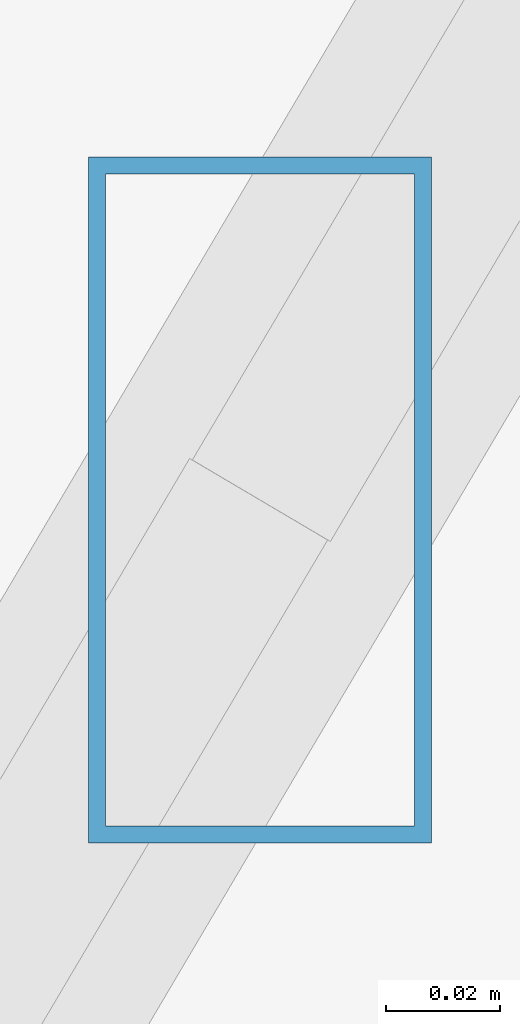
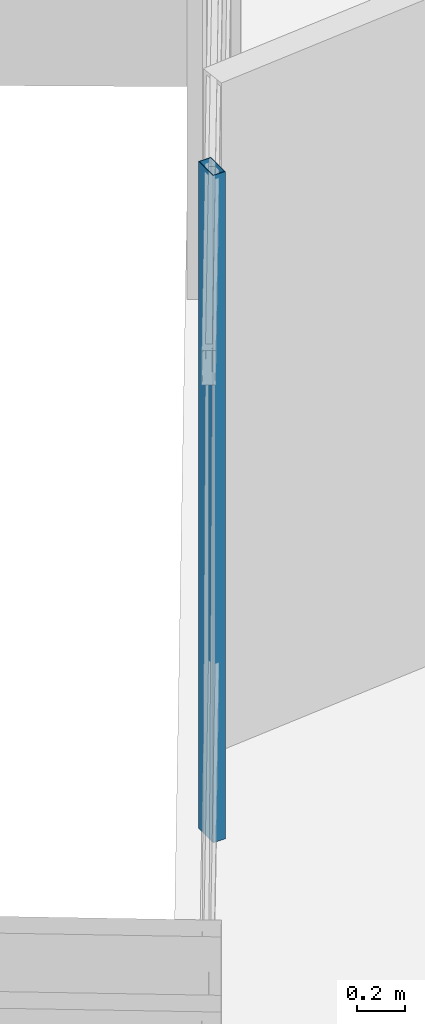
# One storey, part 9 of 45: 1 member, 1 element without a shape of its own.
"""IFC4 building model written with IfcOpenShell, lengths in metres."""

from ifc_helpers import new_model, si_unit, direction, frame, origin, origin_2d, place, context, subcontext, project, spatial, hollow_rectangle, extrude, source, transform, mapped, material, material_profile, profile_set, type_object, type_shapes, element, aggregate, save


model = new_model("IFC4")

# Units and contexts
model_context = context("Model", 3, precision=1e-05, world=origin(), true_north=direction((0.0, 1.0)))
body_context = subcontext(model_context, "Body", "Model", "MODEL_VIEW")
ifc_project = project(units=[si_unit("LENGTHUNIT", "METRE"), si_unit("AREAUNIT", "SQUARE_METRE"), si_unit("VOLUMEUNIT", "CUBIC_METRE"), si_unit("PLANEANGLEUNIT", "RADIAN"), si_unit("MASSUNIT", "GRAM", prefix="KILO")], contexts=[model_context])

# Site, building, storey
site_placement = place(None, origin())
site = spatial("IfcSite", under=ifc_project, at=site_placement, CompositionType="ELEMENT")
building_placement = place(site_placement, origin())
building = spatial("IfcBuilding", under=site, at=building_placement, Name="Caelisora Broadcast Tower", CompositionType="ELEMENT")
storey_placement = place(building_placement, frame((0.0, 0.0, 262.699951171875)))
storey = spatial("IfcBuildingStorey", under=building, at=storey_placement, Name="L69", CompositionType="ELEMENT", Elevation=262.699951171875)

# Curtain wall, member
ifc_material_1 = material(Name="Unitised Aluminium and Low-E Glass Curtain Wall", Category="glass")
curtain_wall_type = type_object("IfcCurtainWallType", Name="CW-Z5", PredefinedType="NOTDEFINED", material=ifc_material_1)
curtain_wall_placement = place(storey_placement, origin())
curtain_wall = element("IfcCurtainWall", 1, at=curtain_wall_placement, inside=storey, type_object=curtain_wall_type, Name="L69 curtain wall CW-Z5", PredefinedType="NOTDEFINED")
ifc_material_2 = material(Name="Aluminium 6063-T6 Anodised Terracotta Bronze", Category="aluminium")
ifc_material_profile = material_profile(ifc_material_2, hollow_rectangle(XDim=0.06005859375, YDim=0.1201171875, WallThickness=0.0029296875, at=origin_2d()), Name="Aluminium 6063-T6 Anodised Terracotta Bronze")
ifc_profile_set = profile_set([ifc_material_profile], Name="Aluminium 6063-T6 Anodised Terracotta Bronze")
member_type = type_object("IfcMemberType", Name="CWM-04", PredefinedType="MULLION", material=ifc_profile_set)
shared_shape = source(origin(), body_context, "Body", "SweptSolid", [
    extrude(hollow_rectangle(XDim=0.06005859375, YDim=0.1201171875, WallThickness=0.0029296875, at=origin_2d()), origin(), (0.0, 0.0, 1.0), 3.400146484375),
])
type_shapes(member_type, [shared_shape])
member_placement = place(storey_placement, frame((17.977783203125, 21.51171875, 0.0), z_axis=(0.0, 0.0, 1.0), x_axis=(1.0, 0.0, 0.0)))
member = element("IfcMember", 2, at=member_placement, type_object=member_type, Name="L69-CW-B09 mullion #2", PredefinedType="MULLION", context=body_context, shape_type="MappedRepresentation", body=[
    mapped(shared_shape, transform((0.0, 0.0, 0.0), scale=1.0)),
])
aggregate(curtain_wall, [member])

save(model, "model.ifc")
